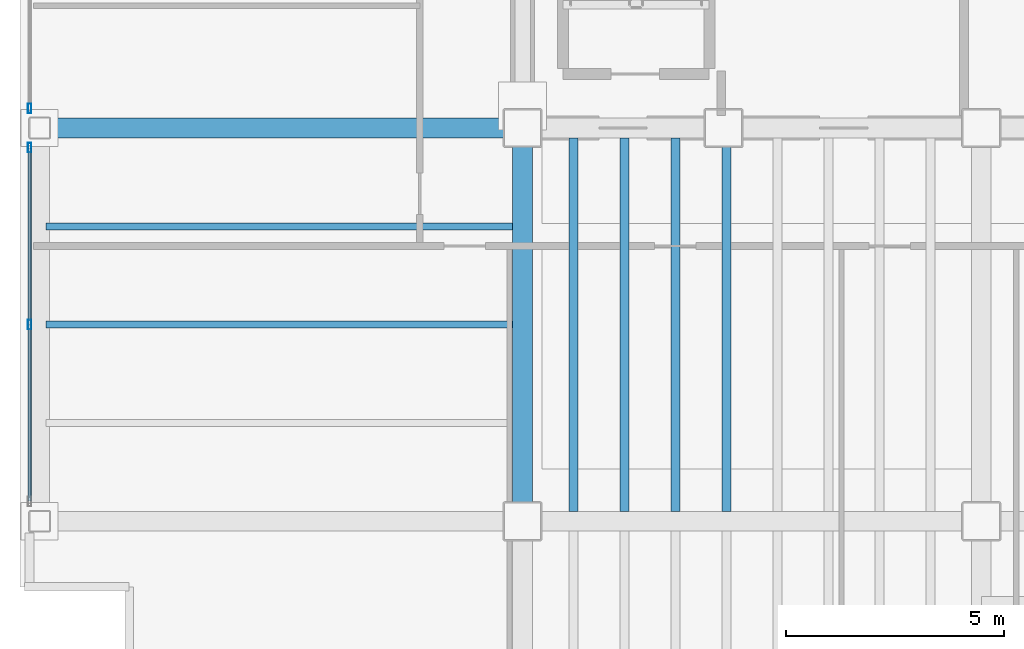
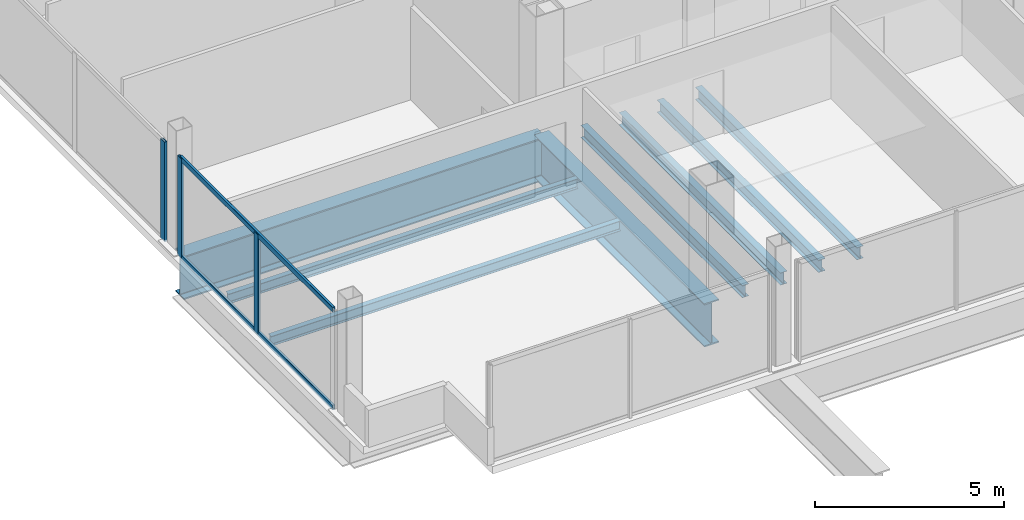
# One storey, part 4 of 24: 8 beams, 5 members, 2 elements without a shape of their own.
"""IFC4 building model written with IfcOpenShell, lengths in metres."""

from ifc_helpers import new_model, si_unit, direction, frame, origin, origin_2d, place, context, subcontext, project, spatial, hollow_rectangle, i_section, extrude, material, material_profile, profile_set, type_object, element, aggregate, save


model = new_model("IFC4")

# Units and contexts
model_context = context("Model", 3, precision=1e-05, world=origin(), true_north=direction((0.0, 1.0)))
body_context = subcontext(model_context, "Body", "Model", "MODEL_VIEW")
ifc_project = project(units=[si_unit("LENGTHUNIT", "METRE"), si_unit("AREAUNIT", "SQUARE_METRE"), si_unit("VOLUMEUNIT", "CUBIC_METRE"), si_unit("PLANEANGLEUNIT", "RADIAN"), si_unit("MASSUNIT", "GRAM", prefix="KILO")], contexts=[model_context])

# Site, building, storey
site_placement = place(None, origin())
site = spatial("IfcSite", under=ifc_project, at=site_placement, CompositionType="ELEMENT")
building_placement = place(site_placement, origin())
building = spatial("IfcBuilding", under=site, at=building_placement, Name="Noeulbin Bourse Tower", CompositionType="ELEMENT")
storey_placement = place(building_placement, frame((0.0, 0.0, 142.199951171875)))
storey = spatial("IfcBuildingStorey", under=building, at=storey_placement, Name="L35", CompositionType="ELEMENT", Elevation=142.199951171875)

# Beams
ifc_material_1 = material(Name="Steel S355", Category="steel")
ifc_material_profile_1 = material_profile(ifc_material_1, i_section(OverallWidth=0.159912109375, OverallDepth=0.320068359375, WebThickness=0.006591796875, FlangeThickness=0.010009765625, FilletRadius=0.012939453125, at=origin_2d()), Name="H-320x160x6.5x10", Category="LoadBearing")
ifc_profile_set_1 = profile_set([ifc_material_profile_1], Name="Steel S355")
beam_type_1 = type_object("IfcBeamType", Name="BM-JST-320", PredefinedType="JOIST", material=ifc_profile_set_1)
for number, where, z_axis, x_axis, name in (
    (1, (2.60009765625, 24.5, -0.39990234375), (1.0, 0.0, 0.0), (0.0, 1.0, 0.0), "Wing Composite Joist L35-W71"),
    (2, (2.60009765625, 26.75, -0.39990234375), (1.0, 0.0, 0.0), (0.0, 1.0, 0.0), "Wing Composite Joist L35-W72"),
):
    element("IfcBeam", number, at=place(storey_placement, frame(where, z_axis=z_axis, x_axis=x_axis)), inside=storey, type_object=beam_type_1, Name=name, PredefinedType="JOIST", context=body_context, shape_type="SweptSolid", body=[
        extrude(i_section(OverallWidth=0.159912109375, OverallDepth=0.320068359375, WebThickness=0.006591796875, FlangeThickness=0.010009765625, FilletRadius=0.012939453125, at=origin_2d()), origin(), (0.0, 0.0, 1.0), 10.6748046875),
    ])
ifc_material_profile_2 = material_profile(ifc_material_1, i_section(OverallWidth=0.199951171875, OverallDepth=0.39990234375, WebThickness=0.008056640625, FlangeThickness=0.012939453125, FilletRadius=0.01611328125, at=origin_2d()), Name="H-400x200x8x13", Category="LoadBearing")
ifc_profile_set_2 = profile_set([ifc_material_profile_2], Name="Steel S355")
beam_type_2 = type_object("IfcBeamType", Name="BM-SEC-400", PredefinedType="BEAM", material=ifc_profile_set_2)
for number, where, z_axis, x_axis, name in (
    (3, (14.666748046875, 20.22509765625, -0.43994140625), (0.0, 1.0, 0.0), (-1.0, 0.0, 0.0), "Tower Composite Joist L35-02"),
    (4, (15.833251953125, 20.22509765625, -0.43994140625), (0.0, 1.0, 0.0), (-1.0, 0.0, 0.0), "Tower Composite Joist L35-05"),
    (5, (17.0, 20.22509765625, -0.43994140625), (0.0, 1.0, 0.0), (-1.0, 0.0, 0.0), "Tower Composite Joist L35-08"),
    (6, (18.166748046875, 20.22509765625, -0.43994140625), (0.0, 1.0, 0.0), (-1.0, 0.0, 0.0), "Tower Composite Joist L35-11"),
):
    element("IfcBeam", number, at=place(storey_placement, frame(where, z_axis=z_axis, x_axis=x_axis)), inside=storey, type_object=beam_type_2, Name=name, PredefinedType="BEAM", context=body_context, shape_type="SweptSolid", body=[
        extrude(i_section(OverallWidth=0.199951171875, OverallDepth=0.39990234375, WebThickness=0.008056640625, FlangeThickness=0.012939453125, FilletRadius=0.01611328125, at=origin_2d()), origin(), (0.0, 0.0, 1.0), 8.5498046875),
    ])
ifc_material_2 = material(Name="Steel S460", Category="steel")
ifc_material_profile_3 = material_profile(ifc_material_2, i_section(OverallWidth=0.449951171875, OverallDepth=1.39990234375, WebThickness=0.02392578125, FlangeThickness=0.0400390625, FilletRadius=0.02392578125, at=origin_2d()), Name="PG-1400x450x24x40", Category="LoadBearing")
ifc_profile_set_3 = profile_set([ifc_material_profile_3], Name="Steel S460")
beam_type_3 = type_object("IfcBeamType", Name="BM-TRF-1400", PredefinedType="USERDEFINED", material=ifc_profile_set_3)
beam_1_placement = place(storey_placement, frame((2.449951171875, 29.0, -0.93994140625), z_axis=(1.0, 0.0, 0.0), x_axis=(0.0, 1.0, 0.0)))
element("IfcBeam", 7, at=beam_1_placement, inside=storey, type_object=beam_type_3, Name="Tower Primary Girder EW L35-2.1", ObjectType="GIRDER", PredefinedType="USERDEFINED", context=body_context, shape_type="SweptSolid", body=[
    extrude(i_section(OverallWidth=0.449951171875, OverallDepth=1.39990234375, WebThickness=0.02392578125, FlangeThickness=0.0400390625, FilletRadius=0.02392578125, at=origin_2d()), origin(), (0.0, 0.0, 1.0), 11.050048828125),
])
beam_2_placement = place(storey_placement, frame((13.5, 20.0, -0.93994140625), z_axis=(0.0, 1.0, 0.0), x_axis=(-1.0, 0.0, 0.0)))
element("IfcBeam", 8, at=beam_2_placement, inside=storey, type_object=beam_type_3, Name="Tower Primary Girder NS L35-1.2", ObjectType="GIRDER", PredefinedType="USERDEFINED", context=body_context, shape_type="SweptSolid", body=[
    extrude(i_section(OverallWidth=0.449951171875, OverallDepth=1.39990234375, WebThickness=0.02392578125, FlangeThickness=0.0400390625, FilletRadius=0.02392578125, at=origin_2d()), origin(), (0.0, 0.0, 1.0), 9.0),
])

# Curtain wall, members
ifc_material_3 = material(Name="Dark Tinted Triple Glazing", Category="glass")
curtain_wall_type = type_object("IfcCurtainWallType", Name="CW-SYS-3", PredefinedType="NOTDEFINED", material=ifc_material_3)
curtain_wall_1_placement = place(storey_placement, origin())
curtain_wall_1 = element("IfcCurtainWall", 9, at=curtain_wall_1_placement, inside=storey, type_object=curtain_wall_type, Name="Unitised Curtain Wall CW-L35-W-S1", PredefinedType="NOTDEFINED")
ifc_material_4 = material(Name="Anodised Aluminium 6063-T6", Category="aluminium")
ifc_material_profile_4 = material_profile(ifc_material_4, hollow_rectangle(XDim=0.074951171875, YDim=0.219970703125, WallThickness=0.0048828125, InnerFilletRadius=0.00244140625, OuterFilletRadius=0.0048828125, at=origin_2d()), Name="ALU-MULL-75x220x5", Category="LoadBearing")
ifc_profile_set_4 = profile_set([ifc_material_profile_4], Name="Anodised Aluminium 6063-T6")
member_type_1 = type_object("IfcMemberType", Name="CW-SYS-3-MUL", PredefinedType="MULLION", material=ifc_profile_set_4)
member_1_placement = place(storey_placement, frame((2.219970703125, 24.5, -0.02001953125), z_axis=(0.0, 0.0, 1.0), x_axis=(1.0, 0.0, 0.0)))
member_1 = element("IfcMember", 10, at=member_1_placement, type_object=member_type_1, Name="Curtain Wall Mullion CW-L35-W-S1-M01", PredefinedType="MULLION", context=body_context, shape_type="SweptSolid", body=[
    extrude(hollow_rectangle(XDim=0.074951171875, YDim=0.219970703125, WallThickness=0.0048828125, InnerFilletRadius=0.00244140625, OuterFilletRadius=0.0048828125, at=origin_2d()), origin(), (0.0, 0.0, 1.0), 3.219970703125),
])
member_2_placement = place(storey_placement, frame((2.219970703125, 28.550048828125, -0.02001953125), z_axis=(0.0, 0.0, 1.0), x_axis=(1.0, 0.0, 0.0)))
member_2 = element("IfcMember", 11, at=member_2_placement, type_object=member_type_1, Name="Curtain Wall Mullion CW-L35-W-S1-M02", PredefinedType="MULLION", context=body_context, shape_type="SweptSolid", body=[
    extrude(hollow_rectangle(XDim=0.074951171875, YDim=0.219970703125, WallThickness=0.0048828125, InnerFilletRadius=0.00244140625, OuterFilletRadius=0.0048828125, at=origin_2d()), origin(), (0.0, 0.0, 1.0), 3.219970703125),
])

# Curtain wall, member
curtain_wall_2_placement = place(storey_placement, origin())
curtain_wall_2 = element("IfcCurtainWall", 12, at=curtain_wall_2_placement, inside=storey, type_object=curtain_wall_type, Name="Unitised Curtain Wall CW-L35-W-S2", PredefinedType="NOTDEFINED")
member_3_placement = place(storey_placement, frame((2.219970703125, 29.449951171875, -0.02001953125), z_axis=(0.0, 0.0, 1.0), x_axis=(1.0, 0.0, 0.0)))
member_3 = element("IfcMember", 13, at=member_3_placement, type_object=member_type_1, Name="Curtain Wall Mullion CW-L35-W-S2-M00", PredefinedType="MULLION", context=body_context, shape_type="SweptSolid", body=[
    extrude(hollow_rectangle(XDim=0.074951171875, YDim=0.219970703125, WallThickness=0.0048828125, InnerFilletRadius=0.00244140625, OuterFilletRadius=0.0048828125, at=origin_2d()), origin(), (0.0, 0.0, 1.0), 3.219970703125),
])
aggregate(curtain_wall_2, [member_3])

# Member
ifc_material_profile_5 = material_profile(ifc_material_4, hollow_rectangle(XDim=0.074951171875, YDim=0.159912109375, WallThickness=0.0048828125, InnerFilletRadius=0.00244140625, OuterFilletRadius=0.0048828125, at=origin_2d()), Name="ALU-TRAN-75x160x5", Category="LoadBearing")
ifc_profile_set_5 = profile_set([ifc_material_profile_5], Name="Anodised Aluminium 6063-T6")
member_type_2 = type_object("IfcMemberType", Name="CW-SYS-3-TRN", PredefinedType="USERDEFINED", material=ifc_profile_set_5)
member_4_placement = place(storey_placement, frame((2.219970703125, 20.4599609375, 0.010009765625), z_axis=(0.0, 1.0, 0.0), x_axis=(-1.0, 0.0, 0.0)))
member_4 = element("IfcMember", 14, at=member_4_placement, type_object=member_type_2, Name="Curtain Wall Transom CW-L35-W-S1-T00", ObjectType="TRANSOM", PredefinedType="USERDEFINED", context=body_context, shape_type="SweptSolid", body=[
    extrude(hollow_rectangle(XDim=0.074951171875, YDim=0.159912109375, WallThickness=0.0048828125, InnerFilletRadius=0.00244140625, OuterFilletRadius=0.0048828125, at=origin_2d()), origin(), (0.0, 0.0, 1.0), 8.080078125),
])

member_5_placement = place(storey_placement, frame((2.219970703125, 20.4599609375, 3.170166015625), z_axis=(0.0, 1.0, 0.0), x_axis=(-1.0, 0.0, 0.0)))
member_5 = element("IfcMember", 15, at=member_5_placement, type_object=member_type_2, Name="Curtain Wall Transom CW-L35-W-S1-T01", ObjectType="TRANSOM", PredefinedType="USERDEFINED", context=body_context, shape_type="SweptSolid", body=[
    extrude(hollow_rectangle(XDim=0.074951171875, YDim=0.159912109375, WallThickness=0.0048828125, InnerFilletRadius=0.00244140625, OuterFilletRadius=0.0048828125, at=origin_2d()), origin(), (0.0, 0.0, 1.0), 8.080078125),
])

aggregate(curtain_wall_1, [member_1, member_2, member_4, member_5])

save(model, "model.ifc")
